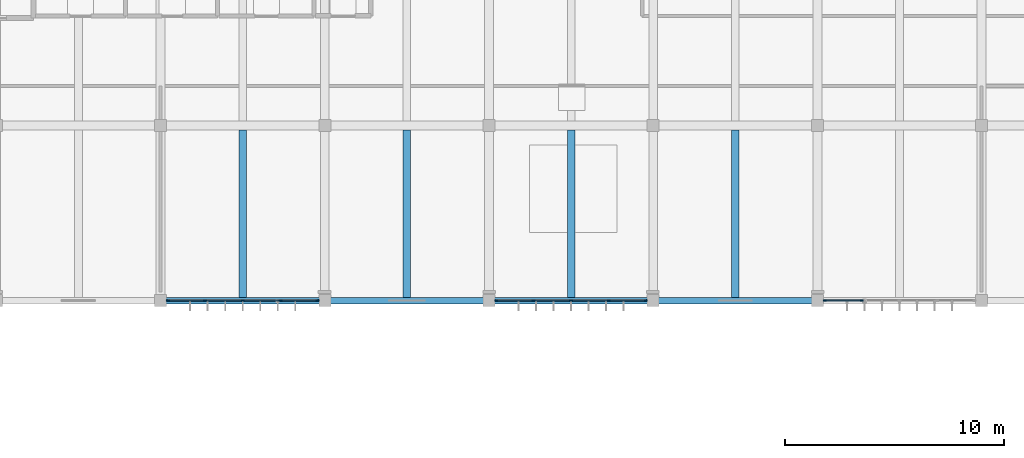
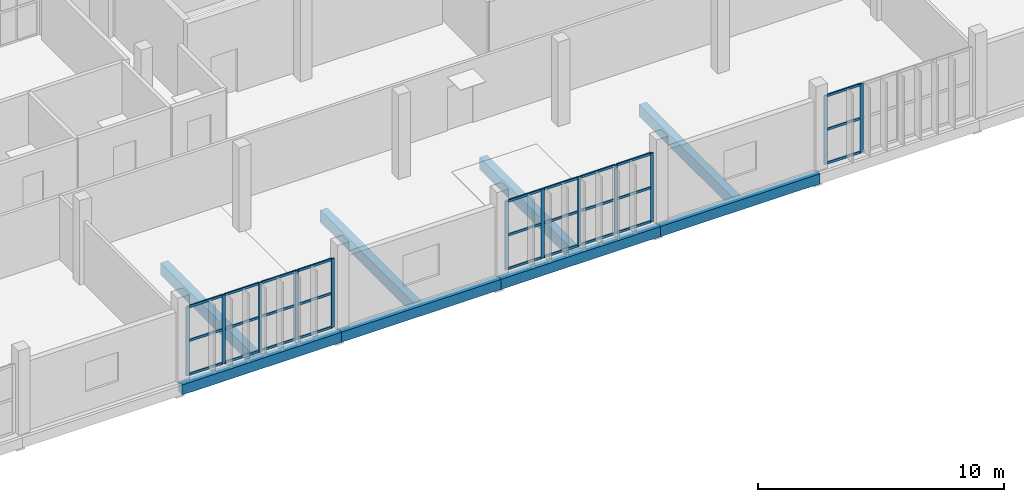
# One storey, part 14 of 61: 39 members, 8 beams, 3 elements without a shape of their own.
"""IFC4 building model written with IfcOpenShell, lengths in metres."""

from ifc_helpers import new_model, si_unit, direction, frame, origin, origin_2d, place, context, subcontext, project, spatial, rectangle, extrude, material, material_profile, profile_set, type_object, element, aggregate, save


model = new_model("IFC4")

# Units and contexts
model_context = context("Model", 3, precision=1e-05, world=origin(), true_north=direction((0.0, 1.0)))
body_context = subcontext(model_context, "Body", "Model", "MODEL_VIEW")
ifc_project = project(units=[si_unit("LENGTHUNIT", "METRE"), si_unit("AREAUNIT", "SQUARE_METRE"), si_unit("VOLUMEUNIT", "CUBIC_METRE"), si_unit("PLANEANGLEUNIT", "RADIAN"), si_unit("MASSUNIT", "GRAM", prefix="KILO")], contexts=[model_context])

# Site, building, storey
site_placement = place(None, origin())
site = spatial("IfcSite", under=ifc_project, at=site_placement, CompositionType="ELEMENT")
building_placement = place(site_placement, origin())
building = spatial("IfcBuilding", under=site, at=building_placement, Name="Vourika Railside Aquatics Centre", CompositionType="ELEMENT")
storey_placement = place(building_placement, frame((0.0, 0.0, 9.300048828125)))
storey = spatial("IfcBuildingStorey", under=building, at=storey_placement, Name="L02", CompositionType="ELEMENT", Elevation=9.300048828125)

# Beams
ifc_material_1 = material(Name="Concrete C35/45", Category="concrete")
ifc_material_profile_1 = material_profile(ifc_material_1, rectangle(XDim=0.35009765625, YDim=0.60009765625, at=origin_2d()), Name="RC 350x600")
ifc_profile_set_1 = profile_set([ifc_material_profile_1], Name="Concrete C35/45")
beam_type_1 = type_object("IfcBeamType", Name="BM-SEC-350x600", PredefinedType="JOIST", material=ifc_profile_set_1)
for number, where, z_axis, x_axis, name in (
    (1, (69.75, 92.14990234375, -0.580078125), (0.0, 1.0, 0.0), (-1.0, 0.0, 0.0), "Secondary Joist JY-L02-340"),
    (2, (77.25, 92.14990234375, -0.580078125), (0.0, 1.0, 0.0), (-1.0, 0.0, 0.0), "Secondary Joist JY-L02-341"),
    (3, (84.75, 92.14990234375, -0.580078125), (0.0, 1.0, 0.0), (-1.0, 0.0, 0.0), "Secondary Joist JY-L02-342"),
    (4, (92.25, 92.14990234375, -0.580078125), (0.0, 1.0, 0.0), (-1.0, 0.0, 0.0), "Secondary Joist JY-L02-343"),
):
    element("IfcBeam", number, at=place(storey_placement, frame(where, z_axis=z_axis, x_axis=x_axis)), inside=storey, type_object=beam_type_1, Name=name, PredefinedType="JOIST", context=body_context, shape_type="SweptSolid", body=[
        extrude(rectangle(XDim=0.35009765625, YDim=0.60009765625, at=origin_2d()), origin(), (0.0, 0.0, 1.0), 7.650146484375),
    ])
ifc_material_profile_2 = material_profile(ifc_material_1, rectangle(XDim=0.300048828125, YDim=0.5, at=origin_2d()), Name="RC 300x500")
ifc_profile_set_2 = profile_set([ifc_material_profile_2], Name="Concrete C35/45")
beam_type_2 = type_object("IfcBeamType", Name="BM-SPAN-300x500", PredefinedType="SPANDREL", material=ifc_profile_set_2)
for number, where, z_axis, x_axis, name in (
    (5, (66.0, 92.0, -0.530029296875), (1.0, 0.0, 0.0), (0.0, 1.0, 0.0), "Floor Beam GX-L02-090"),
    (6, (73.5, 92.0, -0.530029296875), (1.0, 0.0, 0.0), (0.0, 1.0, 0.0), "Floor Beam GX-L02-091"),
    (7, (81.0, 92.0, -0.530029296875), (1.0, 0.0, 0.0), (0.0, 1.0, 0.0), "Floor Beam GX-L02-092"),
    (8, (88.5, 92.0, -0.530029296875), (1.0, 0.0, 0.0), (0.0, 1.0, 0.0), "Floor Beam GX-L02-093"),
):
    element("IfcBeam", number, at=place(storey_placement, frame(where, z_axis=z_axis, x_axis=x_axis)), inside=storey, type_object=beam_type_2, Name=name, PredefinedType="SPANDREL", context=body_context, shape_type="SweptSolid", body=[
        extrude(rectangle(XDim=0.300048828125, YDim=0.5, at=origin_2d()), origin(), (0.0, 0.0, 1.0), 7.5),
    ])

# Curtain wall, members
ifc_material_2 = material(Name="Anodized thermally broken aluminium", Category="aluminium")
curtain_wall_type = type_object("IfcCurtainWallType", Name="CW-FIT2", PredefinedType="NOTDEFINED", material=ifc_material_2)
curtain_wall_1_placement = place(storey_placement, origin())
curtain_wall_1 = element("IfcCurtainWall", 9, at=curtain_wall_1_placement, inside=storey, type_object=curtain_wall_type, Name="Courtyard Fitness Curtain Wall L02-5", PredefinedType="NOTDEFINED")
ifc_material_3 = material(Name="Anodized aluminium mullion", Category="aluminium")
ifc_material_profile_3 = material_profile(ifc_material_3, rectangle(XDim=0.06005859375, YDim=0.14990234375, at=origin_2d()), Name="ALU-M 60x150")
ifc_profile_set_3 = profile_set([ifc_material_profile_3], Name="Anodized aluminium mullion")
member_type_1 = type_object("IfcMemberType", Name="CWM-FIT2", PredefinedType="MULLION", material=ifc_profile_set_3)
member_1_placement = place(storey_placement, frame((66.3349609375, 92.0, 0.0), z_axis=(0.0, 0.0, 1.0), x_axis=(0.0, 1.0, 0.0)))
member_1 = element("IfcMember", 10, at=member_1_placement, type_object=member_type_1, Name="CW16 mullion 1", PredefinedType="MULLION", context=body_context, shape_type="SweptSolid", body=[
    extrude(rectangle(XDim=0.06005859375, YDim=0.14990234375, at=origin_2d()), origin(), (0.0, 0.0, 1.0), 3.419921875),
])
member_2_placement = place(storey_placement, frame((68.027587890625, 92.0, 0.0), z_axis=(0.0, 0.0, 1.0), x_axis=(0.0, 1.0, 0.0)))
member_2 = element("IfcMember", 11, at=member_2_placement, type_object=member_type_1, Name="CW16 mullion 2", PredefinedType="MULLION", context=body_context, shape_type="SweptSolid", body=[
    extrude(rectangle(XDim=0.06005859375, YDim=0.14990234375, at=origin_2d()), origin(), (0.0, 0.0, 1.0), 3.419921875),
])
member_3_placement = place(storey_placement, frame((69.75, 92.0, 0.0), z_axis=(0.0, 0.0, 1.0), x_axis=(0.0, 1.0, 0.0)))
member_3 = element("IfcMember", 12, at=member_3_placement, type_object=member_type_1, Name="CW16 mullion 3", PredefinedType="MULLION", context=body_context, shape_type="SweptSolid", body=[
    extrude(rectangle(XDim=0.06005859375, YDim=0.14990234375, at=origin_2d()), origin(), (0.0, 0.0, 1.0), 3.419921875),
])
member_4_placement = place(storey_placement, frame((71.472412109375, 92.0, 0.0), z_axis=(0.0, 0.0, 1.0), x_axis=(0.0, 1.0, 0.0)))
member_4 = element("IfcMember", 13, at=member_4_placement, type_object=member_type_1, Name="CW16 mullion 4", PredefinedType="MULLION", context=body_context, shape_type="SweptSolid", body=[
    extrude(rectangle(XDim=0.06005859375, YDim=0.14990234375, at=origin_2d()), origin(), (0.0, 0.0, 1.0), 3.419921875),
])
member_5_placement = place(storey_placement, frame((73.1650390625, 92.0, 0.0), z_axis=(0.0, 0.0, 1.0), x_axis=(0.0, 1.0, 0.0)))
member_5 = element("IfcMember", 14, at=member_5_placement, type_object=member_type_1, Name="CW16 mullion 5", PredefinedType="MULLION", context=body_context, shape_type="SweptSolid", body=[
    extrude(rectangle(XDim=0.06005859375, YDim=0.14990234375, at=origin_2d()), origin(), (0.0, 0.0, 1.0), 3.419921875),
])

curtain_wall_2_placement = place(storey_placement, origin())
curtain_wall_2 = element("IfcCurtainWall", 15, at=curtain_wall_2_placement, inside=storey, type_object=curtain_wall_type, Name="Courtyard Fitness Curtain Wall L02-7", PredefinedType="NOTDEFINED")
member_6_placement = place(storey_placement, frame((81.3349609375, 92.0, 0.0), z_axis=(0.0, 0.0, 1.0), x_axis=(0.0, 1.0, 0.0)))
member_6 = element("IfcMember", 16, at=member_6_placement, type_object=member_type_1, Name="CW16 mullion 1", PredefinedType="MULLION", context=body_context, shape_type="SweptSolid", body=[
    extrude(rectangle(XDim=0.06005859375, YDim=0.14990234375, at=origin_2d()), origin(), (0.0, 0.0, 1.0), 3.419921875),
])
member_7_placement = place(storey_placement, frame((83.027587890625, 92.0, 0.0), z_axis=(0.0, 0.0, 1.0), x_axis=(0.0, 1.0, 0.0)))
member_7 = element("IfcMember", 17, at=member_7_placement, type_object=member_type_1, Name="CW16 mullion 2", PredefinedType="MULLION", context=body_context, shape_type="SweptSolid", body=[
    extrude(rectangle(XDim=0.06005859375, YDim=0.14990234375, at=origin_2d()), origin(), (0.0, 0.0, 1.0), 3.419921875),
])
member_8_placement = place(storey_placement, frame((84.75, 92.0, 0.0), z_axis=(0.0, 0.0, 1.0), x_axis=(0.0, 1.0, 0.0)))
member_8 = element("IfcMember", 18, at=member_8_placement, type_object=member_type_1, Name="CW16 mullion 3", PredefinedType="MULLION", context=body_context, shape_type="SweptSolid", body=[
    extrude(rectangle(XDim=0.06005859375, YDim=0.14990234375, at=origin_2d()), origin(), (0.0, 0.0, 1.0), 3.419921875),
])
member_9_placement = place(storey_placement, frame((86.472412109375, 92.0, 0.0), z_axis=(0.0, 0.0, 1.0), x_axis=(0.0, 1.0, 0.0)))
member_9 = element("IfcMember", 19, at=member_9_placement, type_object=member_type_1, Name="CW16 mullion 4", PredefinedType="MULLION", context=body_context, shape_type="SweptSolid", body=[
    extrude(rectangle(XDim=0.06005859375, YDim=0.14990234375, at=origin_2d()), origin(), (0.0, 0.0, 1.0), 3.419921875),
])
member_10_placement = place(storey_placement, frame((88.1650390625, 92.0, 0.0), z_axis=(0.0, 0.0, 1.0), x_axis=(0.0, 1.0, 0.0)))
member_10 = element("IfcMember", 20, at=member_10_placement, type_object=member_type_1, Name="CW16 mullion 5", PredefinedType="MULLION", context=body_context, shape_type="SweptSolid", body=[
    extrude(rectangle(XDim=0.06005859375, YDim=0.14990234375, at=origin_2d()), origin(), (0.0, 0.0, 1.0), 3.419921875),
])

curtain_wall_3_placement = place(storey_placement, origin())
curtain_wall_3 = element("IfcCurtainWall", 21, at=curtain_wall_3_placement, inside=storey, type_object=curtain_wall_type, Name="Courtyard Fitness Curtain Wall L02-9", PredefinedType="NOTDEFINED")
member_11_placement = place(storey_placement, frame((96.3349609375, 92.0, 0.0), z_axis=(0.0, 0.0, 1.0), x_axis=(0.0, 1.0, 0.0)))
member_11 = element("IfcMember", 22, at=member_11_placement, type_object=member_type_1, Name="CW16 mullion 1", PredefinedType="MULLION", context=body_context, shape_type="SweptSolid", body=[
    extrude(rectangle(XDim=0.06005859375, YDim=0.14990234375, at=origin_2d()), origin(), (0.0, 0.0, 1.0), 3.409912109375),
])
member_12_placement = place(storey_placement, frame((98.027587890625, 92.0, 0.0), z_axis=(0.0, 0.0, 1.0), x_axis=(0.0, 1.0, 0.0)))
member_12 = element("IfcMember", 23, at=member_12_placement, type_object=member_type_1, Name="CW16 mullion 2", PredefinedType="MULLION", context=body_context, shape_type="SweptSolid", body=[
    extrude(rectangle(XDim=0.06005859375, YDim=0.14990234375, at=origin_2d()), origin(), (0.0, 0.0, 1.0), 3.409912109375),
])

# Member
ifc_material_4 = material(Name="Anodized aluminium transom", Category="aluminium")
ifc_material_profile_4 = material_profile(ifc_material_4, rectangle(XDim=0.06005859375, YDim=0.117919921875, at=origin_2d()), Name="ALU-T 60x118")
ifc_profile_set_4 = profile_set([ifc_material_profile_4], Name="Anodized aluminium transom")
member_type_2 = type_object("IfcMemberType", Name="CWT-FIT2", PredefinedType="USERDEFINED", material=ifc_profile_set_4)
member_13_placement = place(storey_placement, frame((66.364990234375, 92.0, 0.030029296875), z_axis=(1.0, 0.0, 0.0), x_axis=(0.0, 1.0, 0.0)))
member_13 = element("IfcMember", 24, at=member_13_placement, type_object=member_type_2, Name="CW16 transom 1.1", ObjectType="TRANSOM", PredefinedType="USERDEFINED", context=body_context, shape_type="SweptSolid", body=[
    extrude(rectangle(XDim=0.06005859375, YDim=0.117919921875, at=origin_2d()), origin(), (0.0, 0.0, 1.0), 1.632568359375),
])

member_14_placement = place(storey_placement, frame((66.364990234375, 92.0, 1.7099609375), z_axis=(1.0, 0.0, 0.0), x_axis=(0.0, 1.0, 0.0)))
member_14 = element("IfcMember", 25, at=member_14_placement, type_object=member_type_2, Name="CW16 transom 1.2", ObjectType="TRANSOM", PredefinedType="USERDEFINED", context=body_context, shape_type="SweptSolid", body=[
    extrude(rectangle(XDim=0.06005859375, YDim=0.117919921875, at=origin_2d()), origin(), (0.0, 0.0, 1.0), 1.632568359375),
])

member_15_placement = place(storey_placement, frame((66.364990234375, 92.0, 3.389892578125), z_axis=(1.0, 0.0, 0.0), x_axis=(0.0, 1.0, 0.0)))
member_15 = element("IfcMember", 26, at=member_15_placement, type_object=member_type_2, Name="CW16 transom 1.3", ObjectType="TRANSOM", PredefinedType="USERDEFINED", context=body_context, shape_type="SweptSolid", body=[
    extrude(rectangle(XDim=0.06005859375, YDim=0.117919921875, at=origin_2d()), origin(), (0.0, 0.0, 1.0), 1.632568359375),
])

member_16_placement = place(storey_placement, frame((68.0576171875, 92.0, 0.030029296875), z_axis=(1.0, 0.0, 0.0), x_axis=(0.0, 1.0, 0.0)))
member_16 = element("IfcMember", 27, at=member_16_placement, type_object=member_type_2, Name="CW16 transom 2.1", ObjectType="TRANSOM", PredefinedType="USERDEFINED", context=body_context, shape_type="SweptSolid", body=[
    extrude(rectangle(XDim=0.06005859375, YDim=0.117919921875, at=origin_2d()), origin(), (0.0, 0.0, 1.0), 1.662353515625),
])

member_17_placement = place(storey_placement, frame((68.0576171875, 92.0, 1.7099609375), z_axis=(1.0, 0.0, 0.0), x_axis=(0.0, 1.0, 0.0)))
member_17 = element("IfcMember", 28, at=member_17_placement, type_object=member_type_2, Name="CW16 transom 2.2", ObjectType="TRANSOM", PredefinedType="USERDEFINED", context=body_context, shape_type="SweptSolid", body=[
    extrude(rectangle(XDim=0.06005859375, YDim=0.117919921875, at=origin_2d()), origin(), (0.0, 0.0, 1.0), 1.662353515625),
])

member_18_placement = place(storey_placement, frame((68.0576171875, 92.0, 3.389892578125), z_axis=(1.0, 0.0, 0.0), x_axis=(0.0, 1.0, 0.0)))
member_18 = element("IfcMember", 29, at=member_18_placement, type_object=member_type_2, Name="CW16 transom 2.3", ObjectType="TRANSOM", PredefinedType="USERDEFINED", context=body_context, shape_type="SweptSolid", body=[
    extrude(rectangle(XDim=0.06005859375, YDim=0.117919921875, at=origin_2d()), origin(), (0.0, 0.0, 1.0), 1.662353515625),
])

member_19_placement = place(storey_placement, frame((69.780029296875, 92.0, 0.030029296875), z_axis=(1.0, 0.0, 0.0), x_axis=(0.0, 1.0, 0.0)))
member_19 = element("IfcMember", 30, at=member_19_placement, type_object=member_type_2, Name="CW16 transom 3.1", ObjectType="TRANSOM", PredefinedType="USERDEFINED", context=body_context, shape_type="SweptSolid", body=[
    extrude(rectangle(XDim=0.06005859375, YDim=0.117919921875, at=origin_2d()), origin(), (0.0, 0.0, 1.0), 1.662353515625),
])

member_20_placement = place(storey_placement, frame((69.780029296875, 92.0, 1.7099609375), z_axis=(1.0, 0.0, 0.0), x_axis=(0.0, 1.0, 0.0)))
member_20 = element("IfcMember", 31, at=member_20_placement, type_object=member_type_2, Name="CW16 transom 3.2", ObjectType="TRANSOM", PredefinedType="USERDEFINED", context=body_context, shape_type="SweptSolid", body=[
    extrude(rectangle(XDim=0.06005859375, YDim=0.117919921875, at=origin_2d()), origin(), (0.0, 0.0, 1.0), 1.662353515625),
])

member_21_placement = place(storey_placement, frame((69.780029296875, 92.0, 3.389892578125), z_axis=(1.0, 0.0, 0.0), x_axis=(0.0, 1.0, 0.0)))
member_21 = element("IfcMember", 32, at=member_21_placement, type_object=member_type_2, Name="CW16 transom 3.3", ObjectType="TRANSOM", PredefinedType="USERDEFINED", context=body_context, shape_type="SweptSolid", body=[
    extrude(rectangle(XDim=0.06005859375, YDim=0.117919921875, at=origin_2d()), origin(), (0.0, 0.0, 1.0), 1.662353515625),
])

member_22_placement = place(storey_placement, frame((71.50244140625, 92.0, 0.030029296875), z_axis=(1.0, 0.0, 0.0), x_axis=(0.0, 1.0, 0.0)))
member_22 = element("IfcMember", 33, at=member_22_placement, type_object=member_type_2, Name="CW16 transom 4.1", ObjectType="TRANSOM", PredefinedType="USERDEFINED", context=body_context, shape_type="SweptSolid", body=[
    extrude(rectangle(XDim=0.06005859375, YDim=0.117919921875, at=origin_2d()), origin(), (0.0, 0.0, 1.0), 1.632568359375),
])

member_23_placement = place(storey_placement, frame((71.50244140625, 92.0, 1.7099609375), z_axis=(1.0, 0.0, 0.0), x_axis=(0.0, 1.0, 0.0)))
member_23 = element("IfcMember", 34, at=member_23_placement, type_object=member_type_2, Name="CW16 transom 4.2", ObjectType="TRANSOM", PredefinedType="USERDEFINED", context=body_context, shape_type="SweptSolid", body=[
    extrude(rectangle(XDim=0.06005859375, YDim=0.117919921875, at=origin_2d()), origin(), (0.0, 0.0, 1.0), 1.632568359375),
])

member_24_placement = place(storey_placement, frame((71.50244140625, 92.0, 3.389892578125), z_axis=(1.0, 0.0, 0.0), x_axis=(0.0, 1.0, 0.0)))
member_24 = element("IfcMember", 35, at=member_24_placement, type_object=member_type_2, Name="CW16 transom 4.3", ObjectType="TRANSOM", PredefinedType="USERDEFINED", context=body_context, shape_type="SweptSolid", body=[
    extrude(rectangle(XDim=0.06005859375, YDim=0.117919921875, at=origin_2d()), origin(), (0.0, 0.0, 1.0), 1.632568359375),
])

aggregate(curtain_wall_1, [member_1, member_2, member_3, member_4, member_5, member_13, member_14, member_15, member_16, member_17, member_18, member_19, member_20, member_21, member_22, member_23, member_24])

member_25_placement = place(storey_placement, frame((81.364990234375, 92.0, 0.030029296875), z_axis=(1.0, 0.0, 0.0), x_axis=(0.0, 1.0, 0.0)))
member_25 = element("IfcMember", 36, at=member_25_placement, type_object=member_type_2, Name="CW16 transom 1.1", ObjectType="TRANSOM", PredefinedType="USERDEFINED", context=body_context, shape_type="SweptSolid", body=[
    extrude(rectangle(XDim=0.06005859375, YDim=0.117919921875, at=origin_2d()), origin(), (0.0, 0.0, 1.0), 1.632568359375),
])

member_26_placement = place(storey_placement, frame((81.364990234375, 92.0, 1.7099609375), z_axis=(1.0, 0.0, 0.0), x_axis=(0.0, 1.0, 0.0)))
member_26 = element("IfcMember", 37, at=member_26_placement, type_object=member_type_2, Name="CW16 transom 1.2", ObjectType="TRANSOM", PredefinedType="USERDEFINED", context=body_context, shape_type="SweptSolid", body=[
    extrude(rectangle(XDim=0.06005859375, YDim=0.117919921875, at=origin_2d()), origin(), (0.0, 0.0, 1.0), 1.632568359375),
])

member_27_placement = place(storey_placement, frame((81.364990234375, 92.0, 3.389892578125), z_axis=(1.0, 0.0, 0.0), x_axis=(0.0, 1.0, 0.0)))
member_27 = element("IfcMember", 38, at=member_27_placement, type_object=member_type_2, Name="CW16 transom 1.3", ObjectType="TRANSOM", PredefinedType="USERDEFINED", context=body_context, shape_type="SweptSolid", body=[
    extrude(rectangle(XDim=0.06005859375, YDim=0.117919921875, at=origin_2d()), origin(), (0.0, 0.0, 1.0), 1.632568359375),
])

member_28_placement = place(storey_placement, frame((83.0576171875, 92.0, 0.030029296875), z_axis=(1.0, 0.0, 0.0), x_axis=(0.0, 1.0, 0.0)))
member_28 = element("IfcMember", 39, at=member_28_placement, type_object=member_type_2, Name="CW16 transom 2.1", ObjectType="TRANSOM", PredefinedType="USERDEFINED", context=body_context, shape_type="SweptSolid", body=[
    extrude(rectangle(XDim=0.06005859375, YDim=0.117919921875, at=origin_2d()), origin(), (0.0, 0.0, 1.0), 1.662353515625),
])

member_29_placement = place(storey_placement, frame((83.0576171875, 92.0, 1.7099609375), z_axis=(1.0, 0.0, 0.0), x_axis=(0.0, 1.0, 0.0)))
member_29 = element("IfcMember", 40, at=member_29_placement, type_object=member_type_2, Name="CW16 transom 2.2", ObjectType="TRANSOM", PredefinedType="USERDEFINED", context=body_context, shape_type="SweptSolid", body=[
    extrude(rectangle(XDim=0.06005859375, YDim=0.117919921875, at=origin_2d()), origin(), (0.0, 0.0, 1.0), 1.662353515625),
])

member_30_placement = place(storey_placement, frame((83.0576171875, 92.0, 3.389892578125), z_axis=(1.0, 0.0, 0.0), x_axis=(0.0, 1.0, 0.0)))
member_30 = element("IfcMember", 41, at=member_30_placement, type_object=member_type_2, Name="CW16 transom 2.3", ObjectType="TRANSOM", PredefinedType="USERDEFINED", context=body_context, shape_type="SweptSolid", body=[
    extrude(rectangle(XDim=0.06005859375, YDim=0.117919921875, at=origin_2d()), origin(), (0.0, 0.0, 1.0), 1.662353515625),
])

member_31_placement = place(storey_placement, frame((84.780029296875, 92.0, 0.030029296875), z_axis=(1.0, 0.0, 0.0), x_axis=(0.0, 1.0, 0.0)))
member_31 = element("IfcMember", 42, at=member_31_placement, type_object=member_type_2, Name="CW16 transom 3.1", ObjectType="TRANSOM", PredefinedType="USERDEFINED", context=body_context, shape_type="SweptSolid", body=[
    extrude(rectangle(XDim=0.06005859375, YDim=0.117919921875, at=origin_2d()), origin(), (0.0, 0.0, 1.0), 1.662353515625),
])

member_32_placement = place(storey_placement, frame((84.780029296875, 92.0, 1.7099609375), z_axis=(1.0, 0.0, 0.0), x_axis=(0.0, 1.0, 0.0)))
member_32 = element("IfcMember", 43, at=member_32_placement, type_object=member_type_2, Name="CW16 transom 3.2", ObjectType="TRANSOM", PredefinedType="USERDEFINED", context=body_context, shape_type="SweptSolid", body=[
    extrude(rectangle(XDim=0.06005859375, YDim=0.117919921875, at=origin_2d()), origin(), (0.0, 0.0, 1.0), 1.662353515625),
])

member_33_placement = place(storey_placement, frame((84.780029296875, 92.0, 3.389892578125), z_axis=(1.0, 0.0, 0.0), x_axis=(0.0, 1.0, 0.0)))
member_33 = element("IfcMember", 44, at=member_33_placement, type_object=member_type_2, Name="CW16 transom 3.3", ObjectType="TRANSOM", PredefinedType="USERDEFINED", context=body_context, shape_type="SweptSolid", body=[
    extrude(rectangle(XDim=0.06005859375, YDim=0.117919921875, at=origin_2d()), origin(), (0.0, 0.0, 1.0), 1.662353515625),
])

member_34_placement = place(storey_placement, frame((86.50244140625, 92.0, 0.030029296875), z_axis=(1.0, 0.0, 0.0), x_axis=(0.0, 1.0, 0.0)))
member_34 = element("IfcMember", 45, at=member_34_placement, type_object=member_type_2, Name="CW16 transom 4.1", ObjectType="TRANSOM", PredefinedType="USERDEFINED", context=body_context, shape_type="SweptSolid", body=[
    extrude(rectangle(XDim=0.06005859375, YDim=0.117919921875, at=origin_2d()), origin(), (0.0, 0.0, 1.0), 1.632568359375),
])

member_35_placement = place(storey_placement, frame((86.50244140625, 92.0, 1.7099609375), z_axis=(1.0, 0.0, 0.0), x_axis=(0.0, 1.0, 0.0)))
member_35 = element("IfcMember", 46, at=member_35_placement, type_object=member_type_2, Name="CW16 transom 4.2", ObjectType="TRANSOM", PredefinedType="USERDEFINED", context=body_context, shape_type="SweptSolid", body=[
    extrude(rectangle(XDim=0.06005859375, YDim=0.117919921875, at=origin_2d()), origin(), (0.0, 0.0, 1.0), 1.632568359375),
])

member_36_placement = place(storey_placement, frame((86.50244140625, 92.0, 3.389892578125), z_axis=(1.0, 0.0, 0.0), x_axis=(0.0, 1.0, 0.0)))
member_36 = element("IfcMember", 47, at=member_36_placement, type_object=member_type_2, Name="CW16 transom 4.3", ObjectType="TRANSOM", PredefinedType="USERDEFINED", context=body_context, shape_type="SweptSolid", body=[
    extrude(rectangle(XDim=0.06005859375, YDim=0.117919921875, at=origin_2d()), origin(), (0.0, 0.0, 1.0), 1.632568359375),
])

aggregate(curtain_wall_2, [member_6, member_7, member_8, member_9, member_10, member_25, member_26, member_27, member_28, member_29, member_30, member_31, member_32, member_33, member_34, member_35, member_36])

member_37_placement = place(storey_placement, frame((96.364990234375, 92.0, 0.030029296875), z_axis=(1.0, 0.0, 0.0), x_axis=(0.0, 1.0, 0.0)))
member_37 = element("IfcMember", 48, at=member_37_placement, type_object=member_type_2, Name="CW16 transom 1.1", ObjectType="TRANSOM", PredefinedType="USERDEFINED", context=body_context, shape_type="SweptSolid", body=[
    extrude(rectangle(XDim=0.06005859375, YDim=0.117919921875, at=origin_2d()), origin(), (0.0, 0.0, 1.0), 1.632568359375),
])

member_38_placement = place(storey_placement, frame((96.364990234375, 92.0, 1.704833984375), z_axis=(1.0, 0.0, 0.0), x_axis=(0.0, 1.0, 0.0)))
member_38 = element("IfcMember", 49, at=member_38_placement, type_object=member_type_2, Name="CW16 transom 1.2", ObjectType="TRANSOM", PredefinedType="USERDEFINED", context=body_context, shape_type="SweptSolid", body=[
    extrude(rectangle(XDim=0.06005859375, YDim=0.117919921875, at=origin_2d()), origin(), (0.0, 0.0, 1.0), 1.632568359375),
])

member_39_placement = place(storey_placement, frame((96.364990234375, 92.0, 3.3798828125), z_axis=(1.0, 0.0, 0.0), x_axis=(0.0, 1.0, 0.0)))
member_39 = element("IfcMember", 50, at=member_39_placement, type_object=member_type_2, Name="CW16 transom 1.3", ObjectType="TRANSOM", PredefinedType="USERDEFINED", context=body_context, shape_type="SweptSolid", body=[
    extrude(rectangle(XDim=0.06005859375, YDim=0.117919921875, at=origin_2d()), origin(), (0.0, 0.0, 1.0), 1.632568359375),
])

aggregate(curtain_wall_3, [member_11, member_12, member_37, member_38, member_39])

save(model, "model.ifc")
